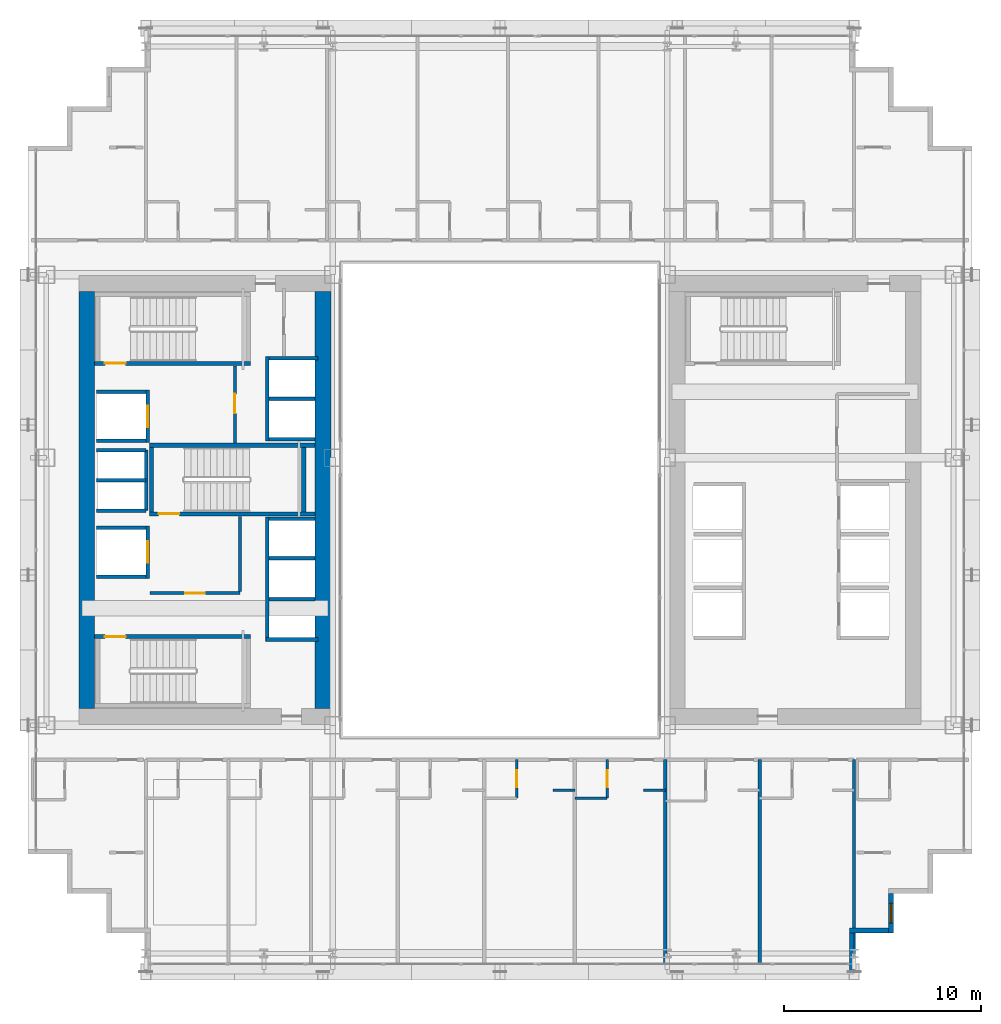
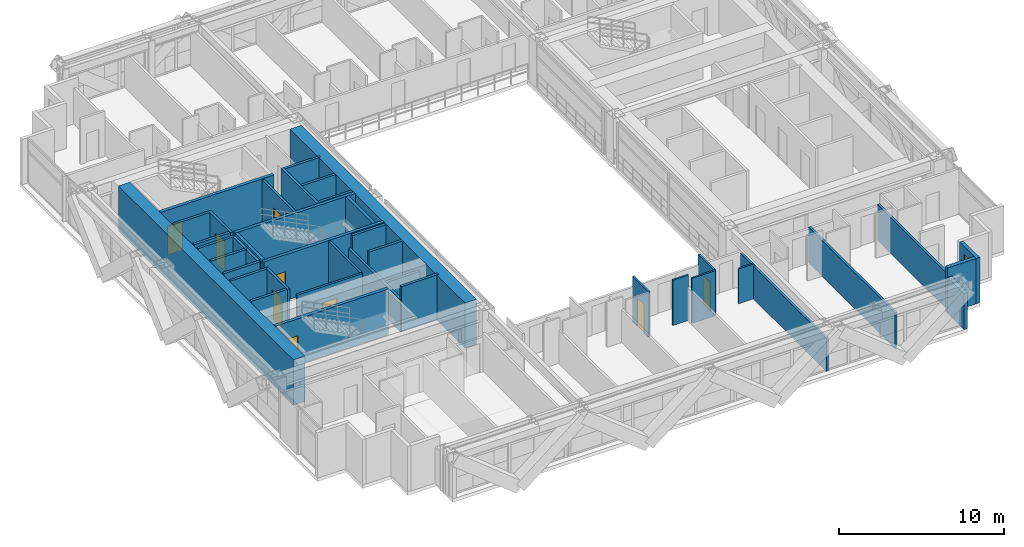
# One storey, part 34 of 41: 41 walls, 9 doors, 1 window, 10 openings.
"""IFC4 building model written with IfcOpenShell, lengths in metres."""

from ifc_helpers import new_model, si_unit, direction, frame, frame_2d, origin, place, context, subcontext, project, spatial, rectangle, extrude, source, transform, mapped, material, layer, layer_set, type_object, element, fill, save


model = new_model("IFC4")

# Units and contexts
model_context = context("Model", 3, precision=1e-05, world=origin(), true_north=direction((0.0, 1.0)))
body_context = subcontext(model_context, "Body", "Model", "MODEL_VIEW")
ifc_project = project(units=[si_unit("LENGTHUNIT", "METRE"), si_unit("AREAUNIT", "SQUARE_METRE"), si_unit("VOLUMEUNIT", "CUBIC_METRE"), si_unit("PLANEANGLEUNIT", "RADIAN"), si_unit("MASSUNIT", "GRAM", prefix="KILO")], contexts=[model_context])

# Site, building, storey
site_placement = place(None, origin())
site = spatial("IfcSite", under=ifc_project, at=site_placement, CompositionType="ELEMENT")
building_placement = place(site_placement, origin())
building = spatial("IfcBuilding", under=site, at=building_placement, Name="Ocotamira Hotel", CompositionType="ELEMENT")
storey_placement = place(building_placement, frame((0.0, 0.0, 38.39990234375)))
storey = spatial("IfcBuildingStorey", under=building, at=storey_placement, Name="L08", CompositionType="ELEMENT", Elevation=38.39990234375)

# Walls
ifc_material_1 = material(Name="Concrete C60/75", Category="concrete")
ifc_layer_1 = layer(ifc_material_1, 0.800048828125)
ifc_layer_set_1 = layer_set([ifc_layer_1], Name="Concrete C60/75")
wall_type_1 = type_object("IfcWallType", Name="WL-CORE-800", PredefinedType="SHEAR", material=ifc_layer_set_1)
for number, where, z_axis, x_axis, name in (
    (1, (11.0, 15.39990234375, 0.0), (0.0, 0.0, 1.0), (0.0, 1.0, 0.0), "L08 Shear Core Wall WCORE-W"),
    (2, (23.0, 15.39990234375, 0.0), (0.0, 0.0, 1.0), (0.0, 1.0, 0.0), "L08 Shear Core Wall WCORE-E"),
):
    element("IfcWall", number, at=place(storey_placement, frame(where, z_axis=z_axis, x_axis=x_axis)), inside=storey, type_object=wall_type_1, Name=name, PredefinedType="SHEAR", context=body_context, shape_type="SweptSolid", body=[
        extrude(rectangle(XDim=21.2001953125, YDim=0.800048828125, at=frame_2d((10.60009765625, 0.0))), origin(), (0.0, 0.0, 1.0), 3.35009765625),
    ])
ifc_material_2 = material(Name="Precast concrete C45/55", Category="concrete")
ifc_layer_2 = layer(ifc_material_2, 0.25)
ifc_layer_set_2 = layer_set([ifc_layer_2], Name="Precast concrete C45/55")
wall_type_2 = type_object("IfcWallType", Name="WL-EXT-SER-250", PredefinedType="SOLIDWALL", material=ifc_layer_set_2)
wall_1_placement = place(storey_placement, frame((49.875, 2.0, 0.0), z_axis=(0.0, 0.0, 1.0), x_axis=(0.0, 1.0, 0.0)))
element("IfcWall", 3, at=wall_1_placement, inside=storey, type_object=wall_type_2, Name="L08 Serrated Corner Wall 01", PredefinedType="SOLIDWALL", context=body_context, shape_type="SweptSolid", body=[
    extrude(rectangle(XDim=2.0, YDim=0.25, at=frame_2d((1.0, 0.0))), origin(), (0.0, 0.0, 1.0), 2.656982421875),
])
wall_2_placement = place(storey_placement, frame((49.75, 4.125, 0.0), z_axis=(0.0, 0.0, 1.0), x_axis=(1.0, 0.0, 0.0)))
element("IfcWall", 4, at=wall_2_placement, inside=storey, type_object=wall_type_2, Name="L08 Serrated Corner Wall 02", PredefinedType="SOLIDWALL", context=body_context, shape_type="SweptSolid", body=[
    extrude(rectangle(XDim=2.0, YDim=0.25, at=frame_2d((1.0, 0.0))), origin(), (0.0, 0.0, 1.0), 3.35009765625),
])

# Wall, opening, window
wall_3_placement = place(storey_placement, frame((51.875, 4.0, 0.0), z_axis=(0.0, 0.0, 1.0), x_axis=(0.0, 1.0, 0.0)))
wall_3 = element("IfcWall", 5, at=wall_3_placement, inside=storey, type_object=wall_type_2, Name="L08 Serrated Corner Wall 03", PredefinedType="SOLIDWALL", context=body_context, shape_type="SweptSolid", body=[
    extrude(rectangle(XDim=2.0, YDim=0.25, at=frame_2d((1.0, 0.0))), origin(), (0.0, 0.0, 1.0), 3.35009765625),
])
opening_1_placement = place(wall_3_placement, frame((0.5, 0.0, 0.85009765625)))
opening_1 = element("IfcOpeningElement", 6, at=opening_1_placement, cuts=wall_3, Name="Opening WN-2", PredefinedType="OPENING", context=body_context, shape_type="SweptSolid", body=[
    extrude(rectangle(XDim=1.0, YDim=1.89990234375, at=frame_2d((0.5, 0.949951171875))), frame((0.0, 0.135009765625, 0.0), z_axis=(0.0, -1.0, 0.0), x_axis=(1.0, 0.0, 0.0)), (0.0, 0.0, 1.0), 0.27001953125),
])
ifc_material_3 = material(Name="Double-silver low-E solar glass", Category="glass")
window_type = type_object("IfcWindowType", Name="WIN-SER-1100", PartitioningType="SINGLE_PANEL", PredefinedType="WINDOW", material=ifc_material_3)
shared_shape_1 = source(origin(), body_context, "Body", "SweptSolid", [
    extrude(rectangle(XDim=1.0, YDim=1.89990234375, at=frame_2d((0.5, 0.949951171875))), frame((0.0, 0.030029296875, 0.0), z_axis=(0.0, -1.0, 0.0), x_axis=(1.0, 0.0, 0.0)), (0.0, 0.0, 1.0), 0.06005859375),
])
window_placement = place(opening_1_placement, origin())
window = element("IfcWindow", 7, at=window_placement, inside=storey, type_object=window_type, Name="L08 Serrated Corner Window 03", OverallHeight=1.89990234375, OverallWidth=1.0, PartitioningType="SINGLE_PANEL", PredefinedType="WINDOW", context=body_context, shape_type="MappedRepresentation", body=[
    mapped(shared_shape_1, transform((0.0, 0.0, 0.0), scale=1.0)),
])
fill(opening_1, window)

# Wall, opening, door
ifc_material_4 = material(Name="Acoustic double-layer fire gypsum board partition", Category="gypsum")
ifc_layer_3 = layer(ifc_material_4, 0.159912109375)
ifc_layer_set_3 = layer_set([ifc_layer_3], Name="Acoustic double-layer fire gypsum board partition")
wall_type_3 = type_object("IfcWallType", Name="WL-FIRE-160", PredefinedType="PARTITIONING", material=ifc_layer_set_3)
wall_4_placement = place(storey_placement, frame((14.199951171875, 21.27001953125, 0.0), z_axis=(0.0, 0.0, 1.0), x_axis=(1.0, 0.0, 0.0)))
wall_4 = element("IfcWall", 8, at=wall_4_placement, inside=storey, type_object=wall_type_3, Name="L08 Interior Wall PW-L08-FSAE1-S", PredefinedType="PARTITIONING", context=body_context, shape_type="SweptSolid", body=[
    extrude(rectangle(XDim=4.580078125, YDim=0.159912109375, at=frame_2d((2.2900390625, 0.0))), origin(), (0.0, 0.0, 1.0), 3.35009765625),
])
opening_2_placement = place(wall_4_placement, frame((1.800048828125, 0.0, 0.0)))
opening_2 = element("IfcOpeningElement", 9, at=opening_2_placement, cuts=wall_4, Name="Opening D-FR2", PredefinedType="OPENING", context=body_context, shape_type="SweptSolid", body=[
    extrude(rectangle(XDim=1.0, YDim=2.14990234375, at=frame_2d((0.5, 1.074951171875))), frame((0.0, 0.08984375, 0.0), z_axis=(0.0, -1.0, 0.0), x_axis=(1.0, 0.0, 0.0)), (0.0, 0.0, 1.0), 0.179931640625),
])
ifc_material_5 = material(Name="Fire-rated acoustic timber-veneer door", Category="wood")
door_type_1 = type_object("IfcDoorType", Name="DR-FIRE-1000", OperationType="NOTDEFINED", PredefinedType="DOOR", material=ifc_material_5)
shared_shape_2 = source(origin(), body_context, "Body", "SweptSolid", [
    extrude(rectangle(XDim=1.0, YDim=2.14990234375, at=frame_2d((0.5, 1.074951171875))), frame((0.0, 0.02490234375, 0.0), z_axis=(0.0, -1.0, 0.0), x_axis=(1.0, 0.0, 0.0)), (0.0, 0.0, 1.0), 0.050048828125),
])
door_1_placement = place(opening_2_placement, origin())
door_1 = element("IfcDoor", 10, at=door_1_placement, inside=storey, type_object=door_type_1, Name="L08 Door ID-L08-FSAE1-D [ID-L08-FSAE1-D]", OperationType="SINGLE_SWING_LEFT", OverallHeight=2.14990234375, OverallWidth=1.0, PredefinedType="DOOR", context=body_context, shape_type="MappedRepresentation", body=[
    mapped(shared_shape_2, transform((0.0, 0.0, 0.0), scale=1.0)),
])
fill(opening_2, door_1)

# Wall
wall_5_placement = place(storey_placement, frame((18.780029296875, 21.35009765625, 0.0), z_axis=(0.0, 0.0, 1.0), x_axis=(0.0, 1.0, 0.0)))
element("IfcWall", 11, at=wall_5_placement, inside=storey, type_object=wall_type_3, Name="L08 Interior Wall PW-L08-FSAE1-E", PredefinedType="PARTITIONING", context=body_context, shape_type="SweptSolid", body=[
    extrude(rectangle(XDim=3.809814453125, YDim=0.159912109375, at=frame_2d((1.90478515625, 0.0))), origin(), (0.0, 0.0, 1.0), 3.35009765625),
])

# Wall, opening, door
wall_6_placement = place(storey_placement, frame((18.530029296875, 28.89990234375, 0.0), z_axis=(0.0, 0.0, 1.0), x_axis=(0.0, 1.0, 0.0)))
wall_6 = element("IfcWall", 12, at=wall_6_placement, inside=storey, type_object=wall_type_3, Name="L08 Interior Wall PW-L08-FSAE2-E", PredefinedType="PARTITIONING", context=body_context, shape_type="SweptSolid", body=[
    extrude(rectangle(XDim=3.900146484375, YDim=0.159912109375, at=frame_2d((1.9501953125, 0.0))), origin(), (0.0, 0.0, 1.0), 3.35009765625),
])
opening_3_placement = place(wall_6_placement, frame((1.5, 0.0, 0.0)))
opening_3 = element("IfcOpeningElement", 13, at=opening_3_placement, cuts=wall_6, Name="Opening D-FR2", PredefinedType="OPENING", context=body_context, shape_type="SweptSolid", body=[
    extrude(rectangle(XDim=1.0, YDim=2.14990234375, at=frame_2d((0.5, 1.074951171875))), frame((0.0, 0.08984375, 0.0), z_axis=(0.0, -1.0, 0.0), x_axis=(1.0, 0.0, 0.0)), (0.0, 0.0, 1.0), 0.179931640625),
])
door_2_placement = place(opening_3_placement, origin())
door_2 = element("IfcDoor", 14, at=door_2_placement, inside=storey, type_object=door_type_1, Name="L08 Door ID-L08-FSAE2-D [ID-L08-FSAE2-D]", OperationType="SINGLE_SWING_RIGHT", OverallHeight=2.14990234375, OverallWidth=1.0, PredefinedType="DOOR", context=body_context, shape_type="MappedRepresentation", body=[
    mapped(shared_shape_2, transform((0.0, 0.0, 0.0), scale=1.0)),
])
fill(opening_3, door_2)

ifc_material_6 = material(Name="Moisture-resistant en-suite tile and gypsum partition", Category="gypsum")
ifc_layer_4 = layer(ifc_material_6, 0.1201171875)
ifc_layer_set_4 = layer_set([ifc_layer_4], Name="Moisture-resistant en-suite tile and gypsum partition")
wall_type_4 = type_object("IfcWallType", Name="WL-PART-120", PredefinedType="PARTITIONING", material=ifc_layer_set_4)
wall_7_placement = place(storey_placement, frame((32.85009765625, 10.85009765625, 0.0), z_axis=(0.0, 0.0, 1.0), x_axis=(0.0, 1.0, 0.0)))
wall_7 = element("IfcWall", 15, at=wall_7_placement, inside=storey, type_object=wall_type_4, Name="L08 Interior Wall PW-L08-Z1AS-BAE5", PredefinedType="PARTITIONING", context=body_context, shape_type="SweptSolid", body=[
    extrude(rectangle(XDim=1.949951171875, YDim=0.1201171875, at=frame_2d((0.97509765625, 0.0))), origin(), (0.0, 0.0, 1.0), 3.35009765625),
])
opening_4_placement = place(wall_7_placement, frame((0.544921875, 0.0, 0.0)))
opening_4 = element("IfcOpeningElement", 16, at=opening_4_placement, cuts=wall_7, Name="Opening D-BA1", PredefinedType="OPENING", context=body_context, shape_type="SweptSolid", body=[
    extrude(rectangle(XDim=0.860107421875, YDim=2.10009765625, at=frame_2d((0.43017578125, 1.050048828125))), frame((0.0, 0.070068359375, 0.0), z_axis=(0.0, -1.0, 0.0), x_axis=(1.0, 0.0, 0.0)), (0.0, 0.0, 1.0), 0.14013671875),
])
ifc_material_7 = material(Name="Moisture-sealed en-suite timber door", Category="wood")
door_type_2 = type_object("IfcDoorType", Name="DR-BATH-860", OperationType="NOTDEFINED", PredefinedType="DOOR", material=ifc_material_7)
shared_shape_3 = source(origin(), body_context, "Body", "SweptSolid", [
    extrude(rectangle(XDim=0.860107421875, YDim=2.10009765625, at=frame_2d((0.43017578125, 1.050048828125))), frame((0.0, 0.02490234375, 0.0), z_axis=(0.0, -1.0, 0.0), x_axis=(1.0, 0.0, 0.0)), (0.0, 0.0, 1.0), 0.050048828125),
])
door_3_placement = place(opening_4_placement, origin())
door_3 = element("IfcDoor", 17, at=door_3_placement, inside=storey, type_object=door_type_2, Name="L08 Door ID-L08-Z1AS-BAD5 [ID-L08-Z1AS-BAD5]", OperationType="SINGLE_SWING_RIGHT", OverallHeight=2.10009765625, OverallWidth=0.860107421875, PredefinedType="DOOR", context=body_context, shape_type="MappedRepresentation", body=[
    mapped(shared_shape_3, transform((0.0, 0.0, 0.0), scale=1.0)),
])
fill(opening_4, door_3)

# Wall
wall_8_placement = place(storey_placement, frame((34.699951171875, 11.25, 0.0), z_axis=(0.0, 0.0, 1.0), x_axis=(1.0, 0.0, 0.0)))
element("IfcWall", 18, at=wall_8_placement, inside=storey, type_object=wall_type_4, Name="L08 Interior Wall PW-L08-Z1AS-DRN5", PredefinedType="PARTITIONING", context=body_context, shape_type="SweptSolid", body=[
    extrude(rectangle(XDim=1.10009765625, YDim=0.1201171875, at=frame_2d((0.550048828125, 0.0))), origin(), (0.0, 0.0, 1.0), 3.35009765625),
])

# Wall, opening, door
wall_9_placement = place(storey_placement, frame((37.449951171875, 10.85009765625, 0.0), z_axis=(0.0, 0.0, 1.0), x_axis=(0.0, 1.0, 0.0)))
wall_9 = element("IfcWall", 19, at=wall_9_placement, inside=storey, type_object=wall_type_4, Name="L08 Interior Wall PW-L08-Z1AS-BAE6", PredefinedType="PARTITIONING", context=body_context, shape_type="SweptSolid", body=[
    extrude(rectangle(XDim=1.949951171875, YDim=0.1201171875, at=frame_2d((0.97509765625, 0.0))), origin(), (0.0, 0.0, 1.0), 3.35009765625),
])
opening_5_placement = place(wall_9_placement, frame((0.544921875, 0.0, 0.0)))
opening_5 = element("IfcOpeningElement", 20, at=opening_5_placement, cuts=wall_9, Name="Opening D-BA1", PredefinedType="OPENING", context=body_context, shape_type="SweptSolid", body=[
    extrude(rectangle(XDim=0.860107421875, YDim=2.10009765625, at=frame_2d((0.43017578125, 1.050048828125))), frame((0.0, 0.070068359375, 0.0), z_axis=(0.0, -1.0, 0.0), x_axis=(1.0, 0.0, 0.0)), (0.0, 0.0, 1.0), 0.14013671875),
])
door_4_placement = place(opening_5_placement, origin())
door_4 = element("IfcDoor", 21, at=door_4_placement, inside=storey, type_object=door_type_2, Name="L08 Door ID-L08-Z1AS-BAD6 [ID-L08-Z1AS-BAD6]", OperationType="SINGLE_SWING_LEFT", OverallHeight=2.10009765625, OverallWidth=0.860107421875, PredefinedType="DOOR", context=body_context, shape_type="MappedRepresentation", body=[
    mapped(shared_shape_3, transform((0.0, 0.0, 0.0), scale=1.0)),
])
fill(opening_5, door_4)

# Walls
wall_10_placement = place(storey_placement, frame((35.800048828125, 10.85009765625, 0.0), z_axis=(0.0, 0.0, 1.0), x_axis=(1.0, 0.0, 0.0)))
element("IfcWall", 22, at=wall_10_placement, inside=storey, type_object=wall_type_4, Name="L08 Interior Wall PW-L08-Z1AS-BAS6", PredefinedType="PARTITIONING", context=body_context, shape_type="SweptSolid", body=[
    extrude(rectangle(XDim=1.64990234375, YDim=0.1201171875, at=frame_2d((0.824951171875, 0.0))), origin(), (0.0, 0.0, 1.0), 3.35009765625),
])
wall_11_placement = place(storey_placement, frame((39.300048828125, 11.25, 0.0), z_axis=(0.0, 0.0, 1.0), x_axis=(1.0, 0.0, 0.0)))
element("IfcWall", 23, at=wall_11_placement, inside=storey, type_object=wall_type_4, Name="L08 Interior Wall PW-L08-Z1AS-DRN6", PredefinedType="PARTITIONING", context=body_context, shape_type="SweptSolid", body=[
    extrude(rectangle(XDim=1.099853515625, YDim=0.1201171875, at=frame_2d((0.5498046875, 0.0))), origin(), (0.0, 0.0, 1.0), 2.571044921875),
])
ifc_material_8 = material(Name="Acoustic double-stud hospitality gypsum partition", Category="gypsum")
ifc_layer_5 = layer(ifc_material_8, 0.159912109375)
ifc_layer_set_5 = layer_set([ifc_layer_5], Name="Acoustic double-stud hospitality gypsum partition")
wall_type_5 = type_object("IfcWallType", Name="WL-PART-160", PredefinedType="PARTITIONING", material=ifc_layer_set_5)
wall_12_placement = place(storey_placement, frame((50.0, 2.360107421875, 0.0), z_axis=(0.0, 0.0, 1.0), x_axis=(0.0, 1.0, 0.0)))
element("IfcWall", 24, at=wall_12_placement, inside=storey, type_object=wall_type_5, Name="L08 Interior Wall PW-L08-Z1AS-PWEND", PredefinedType="PARTITIONING", context=body_context, shape_type="SweptSolid", body=[
    extrude(rectangle(XDim=10.43994140625, YDim=0.159912109375, at=frame_2d((5.219970703125, 0.0))), origin(), (0.0, 0.0, 1.0), 2.656982421875),
])
wall_13_placement = place(storey_placement, frame((40.39990234375, 2.360107421875, 0.0), z_axis=(0.0, 0.0, 1.0), x_axis=(0.0, 1.0, 0.0)))
element("IfcWall", 25, at=wall_13_placement, inside=storey, type_object=wall_type_5, Name="L08 Interior Wall PW-L08-Z1AS-PW6", PredefinedType="PARTITIONING", context=body_context, shape_type="SweptSolid", body=[
    extrude(rectangle(XDim=10.43994140625, YDim=0.159912109375, at=frame_2d((5.219970703125, 0.0))), origin(), (0.0, 0.0, 1.0), 2.423095703125),
])
wall_14_placement = place(storey_placement, frame((45.199951171875, 2.360107421875, 0.0), z_axis=(0.0, 0.0, 1.0), x_axis=(0.0, 1.0, 0.0)))
element("IfcWall", 26, at=wall_14_placement, inside=storey, type_object=wall_type_5, Name="L08 Interior Wall PW-L08-Z1AS-PW7", PredefinedType="PARTITIONING", context=body_context, shape_type="SweptSolid", body=[
    extrude(rectangle(XDim=10.43994140625, YDim=0.159912109375, at=frame_2d((5.219970703125, 0.0))), origin(), (0.0, 0.0, 1.0), 2.656982421875),
])
ifc_material_9 = material(Name="Fire-rated gypsum shaftliner board assembly", Category="gypsum")
ifc_layer_6 = layer(ifc_material_9, 0.179931640625)
ifc_layer_set_6 = layer_set([ifc_layer_6], Name="Fire-rated gypsum shaftliner board assembly")
wall_type_6 = type_object("IfcWallType", Name="WL-SHAFT-180", PredefinedType="SOLIDWALL", material=ifc_layer_set_6)
wall_15_placement = place(storey_placement, frame((20.159912109375, 18.820068359375, 0.0), z_axis=(0.0, 0.0, 1.0), x_axis=(0.0, 1.0, 0.0)))
element("IfcWall", 27, at=wall_15_placement, inside=storey, type_object=wall_type_6, Name="L08 Interior Wall PW-L08-LFW-BANK-high-F", PredefinedType="SOLIDWALL", context=body_context, shape_type="SweptSolid", body=[
    extrude(rectangle(XDim=6.31982421875, YDim=0.179931640625, at=frame_2d((3.159912109375, 0.0))), origin(), (0.0, 0.0, 1.0), 2.360107421875),
])
wall_16_placement = place(storey_placement, frame((20.1201171875, 18.909912109375, 0.0), z_axis=(0.0, 0.0, 1.0), x_axis=(1.0, 0.0, 0.0)))
element("IfcWall", 28, at=wall_16_placement, inside=storey, type_object=wall_type_6, Name="L08 Interior Wall PW-L08-LFW-BANK-high-S", PredefinedType="SOLIDWALL", context=body_context, shape_type="SweptSolid", body=[
    extrude(rectangle(XDim=2.6298828125, YDim=0.179931640625, at=frame_2d((1.31494140625, 0.0))), origin(), (0.0, 0.0, 1.0), 3.35009765625),
])
wall_17_placement = place(storey_placement, frame((20.25, 25.050048828125, 0.0), z_axis=(0.0, 0.0, 1.0), x_axis=(1.0, 0.0, 0.0)))
element("IfcWall", 29, at=wall_17_placement, inside=storey, type_object=wall_type_6, Name="L08 Interior Wall PW-L08-LFW-BANK-high-N", PredefinedType="SOLIDWALL", context=body_context, shape_type="SweptSolid", body=[
    extrude(rectangle(XDim=2.360107421875, YDim=0.179931640625, at=frame_2d((1.18017578125, 0.0))), origin(), (0.0, 0.0, 1.0), 3.35009765625),
])
wall_18_placement = place(storey_placement, frame((20.25, 20.965087890625, 0.0), z_axis=(0.0, 0.0, 1.0), x_axis=(1.0, 0.0, 0.0)))
element("IfcWall", 30, at=wall_18_placement, inside=storey, type_object=wall_type_6, Name="L08 Interior Wall PW-L08-LFW-DIV-LF-P7", PredefinedType="SOLIDWALL", context=body_context, shape_type="SweptSolid", body=[
    extrude(rectangle(XDim=2.360107421875, YDim=0.179931640625, at=frame_2d((1.18017578125, 0.0))), origin(), (0.0, 0.0, 1.0), 2.360107421875),
])
wall_19_placement = place(storey_placement, frame((20.25, 23.044921875, 0.0), z_axis=(0.0, 0.0, 1.0), x_axis=(1.0, 0.0, 0.0)))
element("IfcWall", 31, at=wall_19_placement, inside=storey, type_object=wall_type_6, Name="L08 Interior Wall PW-L08-LFW-DIV-LF-P8", PredefinedType="SOLIDWALL", context=body_context, shape_type="SweptSolid", body=[
    extrude(rectangle(XDim=2.360107421875, YDim=0.179931640625, at=frame_2d((1.18017578125, 0.0))), origin(), (0.0, 0.0, 1.0), 3.35009765625),
])
wall_20_placement = place(storey_placement, frame((20.159912109375, 29.0, 0.0), z_axis=(0.0, 0.0, 1.0), x_axis=(0.0, 1.0, 0.0)))
element("IfcWall", 32, at=wall_20_placement, inside=storey, type_object=wall_type_6, Name="L08 Interior Wall PW-L08-LFW-BANK-obs-F", PredefinedType="SOLIDWALL", context=body_context, shape_type="SweptSolid", body=[
    extrude(rectangle(XDim=4.2900390625, YDim=0.179931640625, at=frame_2d((2.14501953125, 0.0))), origin(), (0.0, 0.0, 1.0), 3.35009765625),
])
wall_21_placement = place(storey_placement, frame((20.25, 29.090087890625, 0.0), z_axis=(0.0, 0.0, 1.0), x_axis=(1.0, 0.0, 0.0)))
element("IfcWall", 33, at=wall_21_placement, inside=storey, type_object=wall_type_6, Name="L08 Interior Wall PW-L08-LFW-BANK-obs-S", PredefinedType="SOLIDWALL", context=body_context, shape_type="SweptSolid", body=[
    extrude(rectangle(XDim=2.360107421875, YDim=0.179931640625, at=frame_2d((1.18017578125, 0.0))), origin(), (0.0, 0.0, 1.0), 3.35009765625),
])
wall_22_placement = place(storey_placement, frame((20.25, 33.199951171875, 0.0), z_axis=(0.0, 0.0, 1.0), x_axis=(1.0, 0.0, 0.0)))
element("IfcWall", 34, at=wall_22_placement, inside=storey, type_object=wall_type_6, Name="L08 Interior Wall PW-L08-LFW-BANK-obs-N", PredefinedType="SOLIDWALL", context=body_context, shape_type="SweptSolid", body=[
    extrude(rectangle(XDim=2.5, YDim=0.179931640625, at=frame_2d((1.25, 0.0))), origin(), (0.0, 0.0, 1.0), 3.35009765625),
])
wall_23_placement = place(storey_placement, frame((20.25, 31.14501953125, 0.0), z_axis=(0.0, 0.0, 1.0), x_axis=(1.0, 0.0, 0.0)))
element("IfcWall", 35, at=wall_23_placement, inside=storey, type_object=wall_type_6, Name="L08 Interior Wall PW-L08-LFW-DIV-LF-OBS1", PredefinedType="SOLIDWALL", context=body_context, shape_type="SweptSolid", body=[
    extrude(rectangle(XDim=2.360107421875, YDim=0.179931640625, at=frame_2d((1.18017578125, 0.0))), origin(), (0.0, 0.0, 1.0), 3.35009765625),
])
for number, where, z_axis, x_axis, name in (
    (36, (11.5, 22.110107421875, 0.0), (0.0, 0.0, 1.0), (1.0, 0.0, 0.0), "L08 Interior Wall PW-L08-LFW-LF-FSAE1-S"),
    (37, (11.5, 24.590087890625, 0.0), (0.0, 0.0, 1.0), (1.0, 0.0, 0.0), "L08 Interior Wall PW-L08-LFW-LF-FSAE1-N"),
):
    element("IfcWall", number, at=place(storey_placement, frame(where, z_axis=z_axis, x_axis=x_axis)), inside=storey, type_object=wall_type_6, Name=name, PredefinedType="SOLIDWALL", context=body_context, shape_type="SweptSolid", body=[
        extrude(rectangle(XDim=2.5, YDim=0.179931640625, at=frame_2d((1.25, 0.0))), origin(), (0.0, 0.0, 1.0), 3.35009765625),
    ])

# Wall, opening, door
wall_24_placement = place(storey_placement, frame((14.090087890625, 22.02001953125, 0.0), z_axis=(0.0, 0.0, 1.0), x_axis=(0.0, 1.0, 0.0)))
wall_24 = element("IfcWall", 38, at=wall_24_placement, inside=storey, type_object=wall_type_6, Name="L08 Interior Wall PW-L08-LFW-LF-FSAE1-E", PredefinedType="SOLIDWALL", context=body_context, shape_type="SweptSolid", body=[
    extrude(rectangle(XDim=2.659912109375, YDim=0.179931640625, at=frame_2d((1.330078125, 0.0))), origin(), (0.0, 0.0, 1.0), 3.35009765625),
])
opening_6_placement = place(wall_24_placement, frame((0.780029296875, 0.0, 0.0)))
opening_6 = element("IfcOpeningElement", 39, at=opening_6_placement, cuts=wall_24, Name="Opening LD-LF-FSAE1", PredefinedType="OPENING", context=body_context, shape_type="SweptSolid", body=[
    extrude(rectangle(XDim=1.10009765625, YDim=2.199951171875, at=frame_2d((0.550048828125, 1.10009765625))), frame((0.0, 0.10009765625, 0.0), z_axis=(0.0, -1.0, 0.0), x_axis=(1.0, 0.0, 0.0)), (0.0, 0.0, 1.0), 0.199951171875),
])
ifc_material_10 = material(Name="Brushed pale-metal stainless elevator landing door", Category="steel")
door_type_3 = type_object("IfcDoorType", Name="DR-LIFT-1100", OperationType="NOTDEFINED", PredefinedType="DOOR", material=ifc_material_10)
shared_shape_4 = source(origin(), body_context, "Body", "SweptSolid", [
    extrude(rectangle(XDim=1.10009765625, YDim=2.199951171875, at=frame_2d((0.550048828125, 1.10009765625))), frame((0.0, 0.02490234375, 0.0), z_axis=(0.0, -1.0, 0.0), x_axis=(1.0, 0.0, 0.0)), (0.0, 0.0, 1.0), 0.050048828125),
])
door_5_placement = place(opening_6_placement, origin())
door_5 = element("IfcDoor", 40, at=door_5_placement, inside=storey, type_object=door_type_3, Name="L08 Landing Door LD-LF-FSAE1 [ID-L08-LD-LF-FSAE1]", OperationType="DOUBLE_DOOR_SLIDING", OverallHeight=2.199951171875, OverallWidth=1.10009765625, PredefinedType="DOOR", context=body_context, shape_type="MappedRepresentation", body=[
    mapped(shared_shape_4, transform((0.0, 0.0, 0.0), scale=1.0)),
])
fill(opening_6, door_5)

# Walls
for number, where, z_axis, x_axis, name in (
    (41, (11.5, 29.010009765625, 0.0), (0.0, 0.0, 1.0), (1.0, 0.0, 0.0), "L08 Interior Wall PW-L08-LFW-LF-FSAE2-S"),
    (42, (11.5, 31.489990234375, 0.0), (0.0, 0.0, 1.0), (1.0, 0.0, 0.0), "L08 Interior Wall PW-L08-LFW-LF-FSAE2-N"),
):
    element("IfcWall", number, at=place(storey_placement, frame(where, z_axis=z_axis, x_axis=x_axis)), inside=storey, type_object=wall_type_6, Name=name, PredefinedType="SOLIDWALL", context=body_context, shape_type="SweptSolid", body=[
        extrude(rectangle(XDim=2.5, YDim=0.179931640625, at=frame_2d((1.25, 0.0))), origin(), (0.0, 0.0, 1.0), 3.35009765625),
    ])

# Wall, opening, door
wall_25_placement = place(storey_placement, frame((14.090087890625, 28.919921875, 0.0), z_axis=(0.0, 0.0, 1.0), x_axis=(0.0, 1.0, 0.0)))
wall_25 = element("IfcWall", 43, at=wall_25_placement, inside=storey, type_object=wall_type_6, Name="L08 Interior Wall PW-L08-LFW-LF-FSAE2-E", PredefinedType="SOLIDWALL", context=body_context, shape_type="SweptSolid", body=[
    extrude(rectangle(XDim=2.66015625, YDim=0.179931640625, at=frame_2d((1.330078125, 0.0))), origin(), (0.0, 0.0, 1.0), 3.35009765625),
])
opening_7_placement = place(wall_25_placement, frame((0.780029296875, 0.0, 0.0)))
opening_7 = element("IfcOpeningElement", 44, at=opening_7_placement, cuts=wall_25, Name="Opening LD-LF-FSAE2", PredefinedType="OPENING", context=body_context, shape_type="SweptSolid", body=[
    extrude(rectangle(XDim=1.10009765625, YDim=2.199951171875, at=frame_2d((0.550048828125, 1.10009765625))), frame((0.0, 0.10009765625, 0.0), z_axis=(0.0, -1.0, 0.0), x_axis=(1.0, 0.0, 0.0)), (0.0, 0.0, 1.0), 0.199951171875),
])
door_6_placement = place(opening_7_placement, origin())
door_6 = element("IfcDoor", 45, at=door_6_placement, inside=storey, type_object=door_type_3, Name="L08 Landing Door LD-LF-FSAE2 [ID-L08-LD-LF-FSAE2]", OperationType="DOUBLE_DOOR_SLIDING", OverallHeight=2.199951171875, OverallWidth=1.10009765625, PredefinedType="DOOR", context=body_context, shape_type="MappedRepresentation", body=[
    mapped(shared_shape_4, transform((0.0, 0.0, 0.0), scale=1.0)),
])
fill(opening_7, door_6)

# Walls
for number, where, z_axis, x_axis, name in (
    (46, (11.5, 25.4599609375, 0.0), (0.0, 0.0, 1.0), (1.0, 0.0, 0.0), "L08 Interior Wall PW-L08-RSW-S"),
    (47, (11.5, 27.0, 0.0), (0.0, 0.0, 1.0), (1.0, 0.0, 0.0), "L08 Interior Wall PW-L08-RSW-MID"),
    (48, (11.5, 28.5400390625, 0.0), (0.0, 0.0, 1.0), (1.0, 0.0, 0.0), "L08 Interior Wall PW-L08-RSW-N"),
):
    element("IfcWall", number, at=place(storey_placement, frame(where, z_axis=z_axis, x_axis=x_axis)), inside=storey, type_object=wall_type_6, Name=name, PredefinedType="SOLIDWALL", context=body_context, shape_type="SweptSolid", body=[
        extrude(rectangle(XDim=2.510009765625, YDim=0.179931640625, at=frame_2d((1.2548828125, 0.0))), origin(), (0.0, 0.0, 1.0), 3.35009765625),
    ])
wall_26_placement = place(storey_placement, frame((14.010009765625, 25.4599609375, 0.0), z_axis=(0.0, 0.0, 1.0), x_axis=(0.0, 1.0, 0.0)))
element("IfcWall", 49, at=wall_26_placement, inside=storey, type_object=wall_type_6, Name="L08 Interior Wall PW-L08-RSW-E", PredefinedType="SOLIDWALL", context=body_context, shape_type="SweptSolid", body=[
    extrude(rectangle(XDim=3.080078125, YDim=0.179931640625, at=frame_2d((1.5400390625, 0.0))), origin(), (0.0, 0.0, 1.0), 3.35009765625),
])

# Wall, opening, door
ifc_material_11 = material(Name="Concrete C50/60", Category="concrete")
ifc_layer_7 = layer(ifc_material_11, 0.219970703125)
ifc_layer_set_7 = layer_set([ifc_layer_7], Name="Concrete C50/60")
wall_type_7 = type_object("IfcWallType", Name="WL-STAIR-220", PredefinedType="SHEAR", material=ifc_layer_set_7)
wall_27_placement = place(storey_placement, frame((11.39990234375, 19.06005859375, 0.0), z_axis=(0.0, 0.0, 1.0), x_axis=(1.0, 0.0, 0.0)))
wall_27 = element("IfcWall", 50, at=wall_27_placement, inside=storey, type_object=wall_type_7, Name="L08 Stair Shaft Structural Wall ST-1-N", PredefinedType="SHEAR", context=body_context, shape_type="SweptSolid", body=[
    extrude(rectangle(XDim=7.91015625, YDim=0.219970703125, at=frame_2d((3.955078125, 0.0))), origin(), (0.0, 0.0, 1.0), 3.400146484375),
])
opening_8_placement = place(wall_27_placement, frame((0.52001953125, 0.0, 0.0)))
opening_8 = element("IfcOpeningElement", 51, at=opening_8_placement, cuts=wall_27, Name="Opening D-ST2", PredefinedType="OPENING", context=body_context, shape_type="SweptSolid", body=[
    extrude(rectangle(XDim=1.050048828125, YDim=2.14990234375, at=frame_2d((0.52490234375, 1.074951171875))), frame((0.0, 0.1201171875, 0.0), z_axis=(0.0, -1.0, 0.0), x_axis=(1.0, 0.0, 0.0)), (0.0, 0.0, 1.0), 0.239990234375),
])
ifc_material_12 = material(Name="Insulated painted hollow-metal fire exit door", Category="steel")
door_type_4 = type_object("IfcDoorType", Name="DR-STAIR-1050", OperationType="NOTDEFINED", PredefinedType="DOOR", material=ifc_material_12)
shared_shape_5 = source(origin(), body_context, "Body", "SweptSolid", [
    extrude(rectangle(XDim=1.050048828125, YDim=2.14990234375, at=frame_2d((0.52490234375, 1.074951171875))), frame((0.0, 0.02490234375, 0.0), z_axis=(0.0, -1.0, 0.0), x_axis=(1.0, 0.0, 0.0)), (0.0, 0.0, 1.0), 0.050048828125),
])
door_7_placement = place(opening_8_placement, origin())
door_7 = element("IfcDoor", 52, at=door_7_placement, inside=storey, type_object=door_type_4, Name="L08 Door ID-L08-STD-ST-1 [ID-L08-STD-ST-1]", OperationType="SINGLE_SWING_LEFT", OverallHeight=2.14990234375, OverallWidth=1.050048828125, PredefinedType="DOOR", context=body_context, shape_type="MappedRepresentation", body=[
    mapped(shared_shape_5, transform((0.0, 0.0, 0.0), scale=1.0)),
])
fill(opening_8, door_7)

wall_28_placement = place(storey_placement, frame((11.39990234375, 32.93994140625, 0.0), z_axis=(0.0, 0.0, 1.0), x_axis=(1.0, 0.0, 0.0)))
wall_28 = element("IfcWall", 53, at=wall_28_placement, inside=storey, type_object=wall_type_7, Name="L08 Stair Shaft Structural Wall ST-2-S", PredefinedType="SHEAR", context=body_context, shape_type="SweptSolid", body=[
    extrude(rectangle(XDim=7.91015625, YDim=0.219970703125, at=frame_2d((3.955078125, 0.0))), origin(), (0.0, 0.0, 1.0), 3.400146484375),
])
opening_9_placement = place(wall_28_placement, frame((0.52001953125, 0.0, 0.0)))
opening_9 = element("IfcOpeningElement", 54, at=opening_9_placement, cuts=wall_28, Name="Opening D-ST2", PredefinedType="OPENING", context=body_context, shape_type="SweptSolid", body=[
    extrude(rectangle(XDim=1.050048828125, YDim=2.14990234375, at=frame_2d((0.52490234375, 1.074951171875))), frame((0.0, 0.1201171875, 0.0), z_axis=(0.0, -1.0, 0.0), x_axis=(1.0, 0.0, 0.0)), (0.0, 0.0, 1.0), 0.239990234375),
])
door_8_placement = place(opening_9_placement, origin())
door_8 = element("IfcDoor", 55, at=door_8_placement, inside=storey, type_object=door_type_4, Name="L08 Door ID-L08-STD-ST-2 [ID-L08-STD-ST-2]", OperationType="SINGLE_SWING_RIGHT", OverallHeight=2.14990234375, OverallWidth=1.050048828125, PredefinedType="DOOR", context=body_context, shape_type="MappedRepresentation", body=[
    mapped(shared_shape_5, transform((0.0, 0.0, 0.0), scale=1.0)),
])
fill(opening_9, door_8)

wall_29_placement = place(storey_placement, frame((14.179931640625, 25.2900390625, 0.0), z_axis=(0.0, 0.0, 1.0), x_axis=(1.0, 0.0, 0.0)))
wall_29 = element("IfcWall", 56, at=wall_29_placement, inside=storey, type_object=wall_type_7, Name="L08 Stair Shaft Structural Wall ST-3-S", PredefinedType="SHEAR", context=body_context, shape_type="SweptSolid", body=[
    extrude(rectangle(XDim=8.420166015625, YDim=0.219970703125, at=frame_2d((4.2099609375, 0.0))), origin(), (0.0, 0.0, 1.0), 3.400146484375),
])
opening_10_placement = place(wall_29_placement, frame((0.469970703125, 0.0, 0.0)))
opening_10 = element("IfcOpeningElement", 57, at=opening_10_placement, cuts=wall_29, Name="Opening D-ST2", PredefinedType="OPENING", context=body_context, shape_type="SweptSolid", body=[
    extrude(rectangle(XDim=1.050048828125, YDim=2.14990234375, at=frame_2d((0.52490234375, 1.074951171875))), frame((0.0, 0.1201171875, 0.0), z_axis=(0.0, -1.0, 0.0), x_axis=(1.0, 0.0, 0.0)), (0.0, 0.0, 1.0), 0.239990234375),
])
door_9_placement = place(opening_10_placement, origin())
door_9 = element("IfcDoor", 58, at=door_9_placement, inside=storey, type_object=door_type_4, Name="L08 Door ID-L08-STD-ST-3 [ID-L08-STD-ST-3]", OperationType="SINGLE_SWING_LEFT", OverallHeight=2.14990234375, OverallWidth=1.050048828125, PredefinedType="DOOR", context=body_context, shape_type="MappedRepresentation", body=[
    mapped(shared_shape_5, transform((0.0, 0.0, 0.0), scale=1.0)),
])
fill(opening_10, door_9)

# Walls
wall_30_placement = place(storey_placement, frame((14.179931640625, 28.7900390625, 0.0), z_axis=(0.0, 0.0, 1.0), x_axis=(1.0, 0.0, 0.0)))
element("IfcWall", 59, at=wall_30_placement, inside=storey, type_object=wall_type_7, Name="L08 Stair Shaft Structural Wall ST-3-N", PredefinedType="SHEAR", context=body_context, shape_type="SweptSolid", body=[
    extrude(rectangle(XDim=8.420166015625, YDim=0.219970703125, at=frame_2d((4.2099609375, 0.0))), origin(), (0.0, 0.0, 1.0), 3.400146484375),
])
for number, where, z_axis, x_axis, name in (
    (60, (14.2900390625, 25.39990234375, 0.0), (0.0, 0.0, 1.0), (0.0, 1.0, 0.0), "L08 Stair Shaft Structural Wall ST-3-W"),
    (61, (22.030029296875, 25.39990234375, 0.0), (0.0, 0.0, 1.0), (0.0, 1.0, 0.0), "L08 Stair Shaft Structural Wall ST-3-E"),
):
    element("IfcWall", number, at=place(storey_placement, frame(where, z_axis=z_axis, x_axis=x_axis)), inside=storey, type_object=wall_type_7, Name=name, PredefinedType="SHEAR", context=body_context, shape_type="SweptSolid", body=[
        extrude(rectangle(XDim=3.280029296875, YDim=0.219970703125, at=frame_2d((1.64013671875, 0.0))), origin(), (0.0, 0.0, 1.0), 3.400146484375),
    ])

save(model, "model.ifc")
